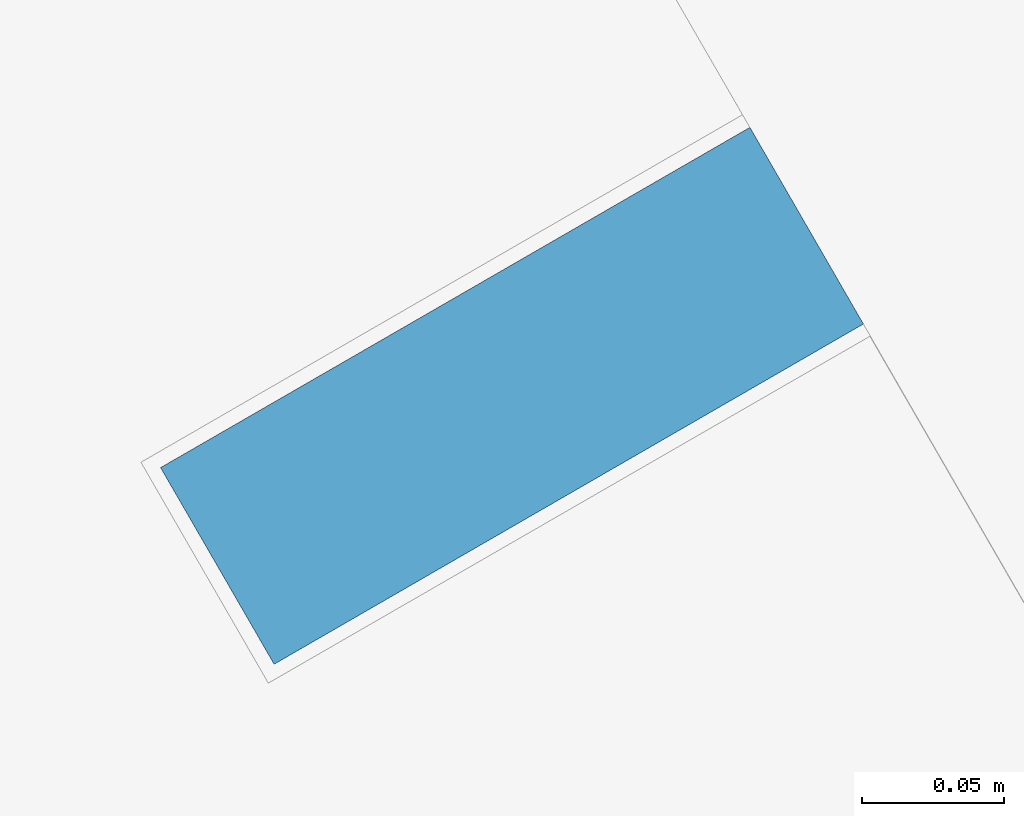
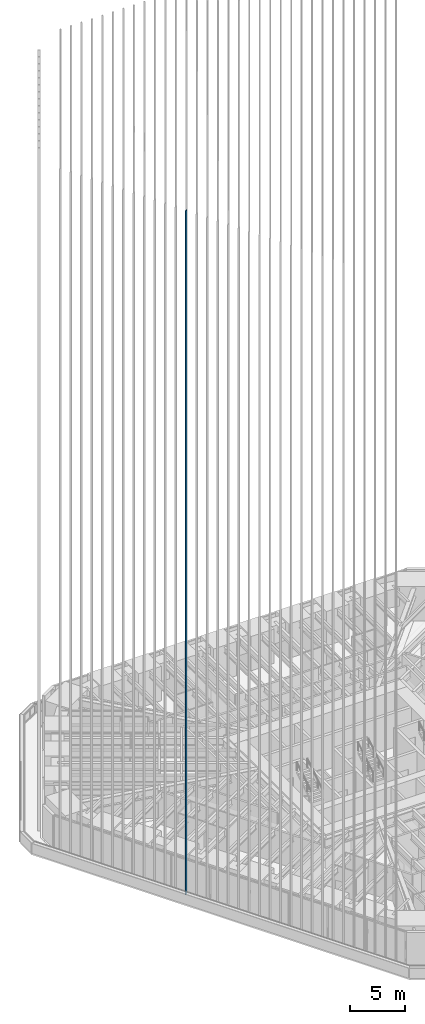
# One storey, part 42 of 238: 1 member, 1 element without a shape of its own.
"""IFC4 building model written with IfcOpenShell, lengths in metres."""

import ifcopenshell
import ifcopenshell.guid

model = None  # the IFC model being written
_history = None  # IfcOwnerHistory: only IFC2X3 demands one
_inside = {}  # id of a spatial element -> (the spatial element, [elements in it])
_under = {}  # id of a project, library or spatial element -> (it, [spatial elements below it])
_declared = {}  # id of a project -> (the project, [libraries it declares])
_typed = {}  # id of a type object -> (the type object, [elements of that type])
_made_of = {}  # id of a material, layer set ... -> (it, [elements and type objects made of it])


def new_model(schema):
    """Start an empty IFC model of exactly this schema.

    Asked for "IFC4X3", IfcOpenShell would pick the latest addendum, in which some entities
    have other attributes; the version numbers below select the first issue.
    IFC2X3 requires an IfcOwnerHistory on every rooted entity: one is made here for all.
    """
    global model, _history
    if schema == "IFC4X3":
        model = ifcopenshell.file(schema_version=(4, 3, 0, 0))
    else:
        model = ifcopenshell.file(schema=schema)
    _inside.clear()
    _under.clear()
    _declared.clear()
    _typed.clear()
    _made_of.clear()
    _history = None
    if model.schema == "IFC2X3":
        org = make("IfcOrganization", Name="unknown")
        user = make(
            "IfcPersonAndOrganization",
            ThePerson=make("IfcPerson", FamilyName="unknown"),
            TheOrganization=org,
        )
        app = make(
            "IfcApplication",
            ApplicationDeveloper=org,
            Version="unknown",
            ApplicationFullName="unknown",
            ApplicationIdentifier="unknown",
        )
        _history = make(
            "IfcOwnerHistory",
            OwningUser=user,
            OwningApplication=app,
            ChangeAction="ADDED",
            CreationDate=0,
        )
    return model


def make(cls, **values):
    """One entity of the class cls with the attributes given. An attribute that is None is left unset."""
    return model.create_entity(
        cls, **{name: value for name, value in values.items() if value is not None}
    )


def rooted(cls, **values):
    """An entity with a GlobalId (a new one), such as an element, a storey or a relation."""
    return make(cls, GlobalId=ifcopenshell.guid.new(), OwnerHistory=_history, **values)


def si_unit(unit_type, name, prefix=None):
    """IfcSIUnit, for example si_unit("LENGTHUNIT", "METRE", prefix="MILLI")."""
    return make("IfcSIUnit", UnitType=unit_type, Prefix=prefix, Name=name)


def assignment(units):
    """IfcUnitAssignment: the units of a project."""
    return None if units is None else make("IfcUnitAssignment", Units=units)


def point(xyz):
    """IfcCartesianPoint."""
    return None if xyz is None else make("IfcCartesianPoint", Coordinates=xyz)


def direction(xyz):
    """IfcDirection."""
    return None if xyz is None else make("IfcDirection", DirectionRatios=xyz)


def frame(location, z_axis=None, x_axis=None):
    """IfcAxis2Placement3D, a coordinate frame: its origin and axes. An axis left out is left unset."""
    return make(
        "IfcAxis2Placement3D",
        Location=point(location),
        Axis=direction(z_axis),
        RefDirection=direction(x_axis),
    )


def frame_2d(location, x_axis=None):
    """IfcAxis2Placement2D, a coordinate frame in the plane: its origin and x axis."""
    return make(
        "IfcAxis2Placement2D", Location=point(location), RefDirection=direction(x_axis)
    )


def origin():
    """The frame at (0, 0, 0) with its axes left unset."""
    return frame((0.0, 0.0, 0.0))


def origin_2d():
    """The frame at (0, 0) in the plane with its x axis left unset."""
    return frame_2d((0.0, 0.0))


def place(relative_to, where):
    """IfcLocalPlacement: puts the frame where relative to a parent placement (None: the world)."""
    return make(
        "IfcLocalPlacement", PlacementRelTo=relative_to, RelativePlacement=where
    )


def context(
    kind, dimensions, precision=None, world=None, true_north=None, identifier=None
):
    """IfcGeometricRepresentationContext, for example the 3D "Model" context."""
    return make(
        "IfcGeometricRepresentationContext",
        ContextIdentifier=identifier,
        ContextType=kind,
        CoordinateSpaceDimension=dimensions,
        Precision=precision,
        WorldCoordinateSystem=world,
        TrueNorth=true_north,
    )


def subcontext(parent, identifier, kind, view, scale=None):
    """IfcGeometricRepresentationSubContext, for example "Body" below "Model"."""
    return make(
        "IfcGeometricRepresentationSubContext",
        ContextIdentifier=identifier,
        ContextType=kind,
        ParentContext=parent,
        TargetScale=scale,
        TargetView=view,
    )


def project(units=None, contexts=None):
    """IfcProject with its units and contexts."""
    return rooted(
        "IfcProject",
        Name="project",
        RepresentationContexts=contexts,
        UnitsInContext=assignment(units),
    )


def spatial(cls, under=None, at=None, **own):
    """A site, building, storey or space (cls), placed at a placement, below another one or the project."""
    s = rooted(cls, ObjectPlacement=at, **own)
    if under is not None:
        _under.setdefault(under.id(), (under, []))[1].append(s)
    return s


def profile(cls, at=None, kind="AREA", **sizes):
    """A parametric profile (cls). Its sizes go by their IFC names, for example OverallWidth=200.0."""
    return make(cls, ProfileType=kind, Position=at, **sizes)


def rectangle(**sizes):
    """IfcRectangleProfileDef."""
    return profile("IfcRectangleProfileDef", **sizes)


def extrude(swept, where, along, depth):
    """IfcExtrudedAreaSolid: the profile swept, set in the frame where, extruded along a direction by depth."""
    return make(
        "IfcExtrudedAreaSolid",
        SweptArea=swept,
        Position=where,
        ExtrudedDirection=direction(along),
        Depth=depth,
    )


def shape(context_of_items, identifier, shape_type, items):
    """IfcShapeRepresentation: the items that make up one representation, for example the "Body"."""
    return make(
        "IfcShapeRepresentation",
        ContextOfItems=context_of_items,
        RepresentationIdentifier=identifier,
        RepresentationType=shape_type,
        Items=items,
    )


def material(Name=None, Category=None):
    """IfcMaterial."""
    return make("IfcMaterial", Name=Name, Category=Category)


def material_profile(
    of_material, cross_section, Name=None, Category=None, Priority=None
):
    """IfcMaterialProfile: a cross section and its material."""
    return make(
        "IfcMaterialProfile",
        Name=Name,
        Material=of_material,
        Profile=cross_section,
        Priority=Priority,
        Category=Category,
    )


def profile_set(profiles, Name=None, composite=None):
    """IfcMaterialProfileSet."""
    return make(
        "IfcMaterialProfileSet",
        Name=Name,
        MaterialProfiles=profiles,
        CompositeProfile=composite,
    )


def made_of(thing, what):
    """Note that an element or type object is made of a material, layer set ...; save() writes the relation."""
    if what is not None:
        _made_of.setdefault(what.id(), (what, []))[1].append(thing)
    return thing


def type_object(cls, material=None, **own):
    """A type object (cls), such as IfcWallType, which elements share."""
    return made_of(rooted(cls, **own), material)


def element(
    cls,
    number,
    at=None,
    inside=None,
    cuts=None,
    type_object=None,
    material=None,
    context=None,
    identifier="Body",
    shape_type=None,
    held_by="IfcProductDefinitionShape",
    body=None,
    shapes=None,
    **own,
):
    """One element of the class cls, such as IfcWall. Its Tag is "e" and its number.

    at: its placement. inside: the storey or other place that contains it. cuts: it is an
    opening in that element (IfcRelVoidsElement). A single representation is given by context,
    identifier, shape_type and body (its items); several are given by shapes. held_by: the class
    of the entity that holds the representations. save() writes the other relations.
    """
    e = rooted(cls, Tag="e%d" % number, ObjectPlacement=at, **own)
    if body is not None:
        shapes = [shape(context, identifier, shape_type, body)]
    if shapes is not None:
        e.Representation = make(held_by, Representations=shapes)
    if inside is not None:
        _inside.setdefault(inside.id(), (inside, []))[1].append(e)
    if cuts is not None:
        rooted(
            "IfcRelVoidsElement", RelatingBuildingElement=cuts, RelatedOpeningElement=e
        )
    if type_object is not None:
        _typed.setdefault(type_object.id(), (type_object, []))[1].append(e)
    return made_of(e, material)


def aggregate(whole, parts):
    """IfcRelAggregates: a whole, such as a stair, and the parts it consists of."""
    return rooted("IfcRelAggregates", RelatingObject=whole, RelatedObjects=parts)


def save(model, path):
    """Write the relations noted so far, then the file.

    IfcRelAggregates (storeys below a building ...), IfcRelContainedInSpatialStructure (elements
    in a storey), IfcRelDefinesByType, IfcRelAssociatesMaterial and IfcRelDeclares: one each for
    every whole, place, type object, material and project.
    """
    for whole, parts in _under.values():
        aggregate(whole, parts)
    for where, things in _inside.values():
        rooted(
            "IfcRelContainedInSpatialStructure",
            RelatedElements=things,
            RelatingStructure=where,
        )
    for kind, things in _typed.values():
        rooted("IfcRelDefinesByType", RelatedObjects=things, RelatingType=kind)
    for what, things in _made_of.values():
        rooted("IfcRelAssociatesMaterial", RelatedObjects=things, RelatingMaterial=what)
    for by, libraries in _declared.values():
        rooted("IfcRelDeclares", RelatingContext=by, RelatedDefinitions=libraries)
    model.write(path)


model = new_model("IFC4")

# Units and contexts
model_context = context("Model", 3, precision=1e-05, world=origin(), true_north=direction((0.0, 1.0)))
body_context = subcontext(model_context, "Body", "Model", "MODEL_VIEW")
ifc_project = project(units=[si_unit("LENGTHUNIT", "METRE"), si_unit("AREAUNIT", "SQUARE_METRE"), si_unit("VOLUMEUNIT", "CUBIC_METRE"), si_unit("PLANEANGLEUNIT", "RADIAN"), si_unit("MASSUNIT", "GRAM", prefix="KILO")], contexts=[model_context])

# Site, building, storey
site_placement = place(None, origin())
site = spatial("IfcSite", under=ifc_project, at=site_placement, CompositionType="ELEMENT")
building_placement = place(site_placement, origin())
building = spatial("IfcBuilding", under=site, at=building_placement, Name="Sandreach Pilgrim Tower", CompositionType="ELEMENT")
storey_placement = place(building_placement, frame((0.0, 0.0, 96.800048828125)))
storey = spatial("IfcBuildingStorey", under=building, at=storey_placement, Name="L23", CompositionType="ELEMENT", Elevation=96.800048828125)

# Curtain wall, member
ifc_material_1 = material(Name="Aluminium framed curtain wall", Category="aluminium")
curtain_wall_type = type_object("IfcCurtainWallType", Name="Hotel tower curtain wall", PredefinedType="NOTDEFINED", material=ifc_material_1)
curtain_wall_placement = place(storey_placement, origin())
curtain_wall = element("IfcCurtainWall", 1, at=curtain_wall_placement, inside=storey, type_object=curtain_wall_type, Name="CW-2 L23 SW", PredefinedType="NOTDEFINED")
ifc_material_2 = material(Name="Extruded terracotta on aluminium core", Category="masonry")
ifc_material_profile = material_profile(ifc_material_2, rectangle(XDim=0.080078125, YDim=0.239990234375, at=origin_2d()), Name="TBW 80X240")
ifc_profile_set = profile_set([ifc_material_profile], Name="Extruded terracotta on aluminium core")
member_type = type_object("IfcMemberType", Name="Terracotta baguette west", PredefinedType="USERDEFINED", material=ifc_profile_set)
member_placement = place(storey_placement, frame((-22.046630859375, -7.6416015625, 0.0), z_axis=(0.0, 0.0, 1.0), x_axis=(-0.5, 0.866025403784, 0.0)))
member = element("IfcMember", 2, at=member_placement, type_object=member_type, Name="Baguette Z2 SW21", ObjectType="BAGUETTE", PredefinedType="USERDEFINED", context=body_context, shape_type="SweptSolid", body=[
    extrude(rectangle(XDim=0.080078125, YDim=0.239990234375, at=origin_2d()), origin(), (0.0, 0.0, 1.0), 75.83984375),
])
aggregate(curtain_wall, [member])

save(model, "model.ifc")
